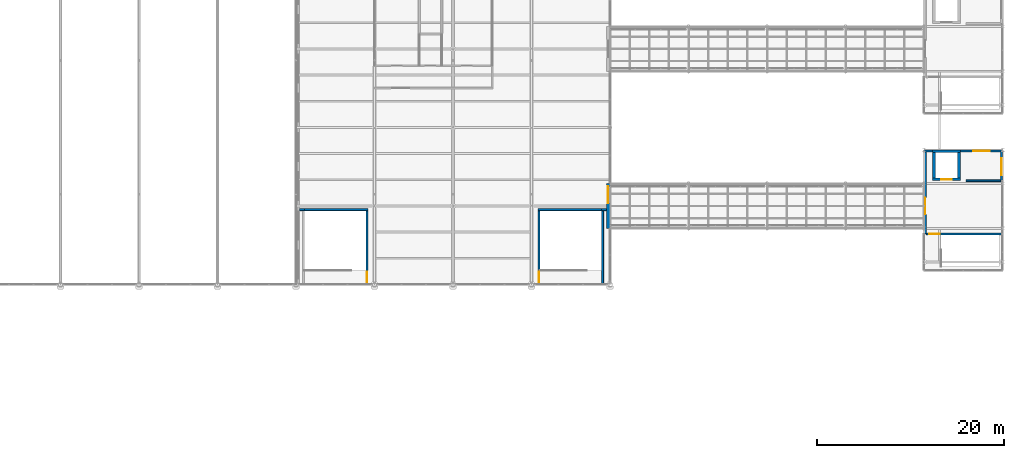
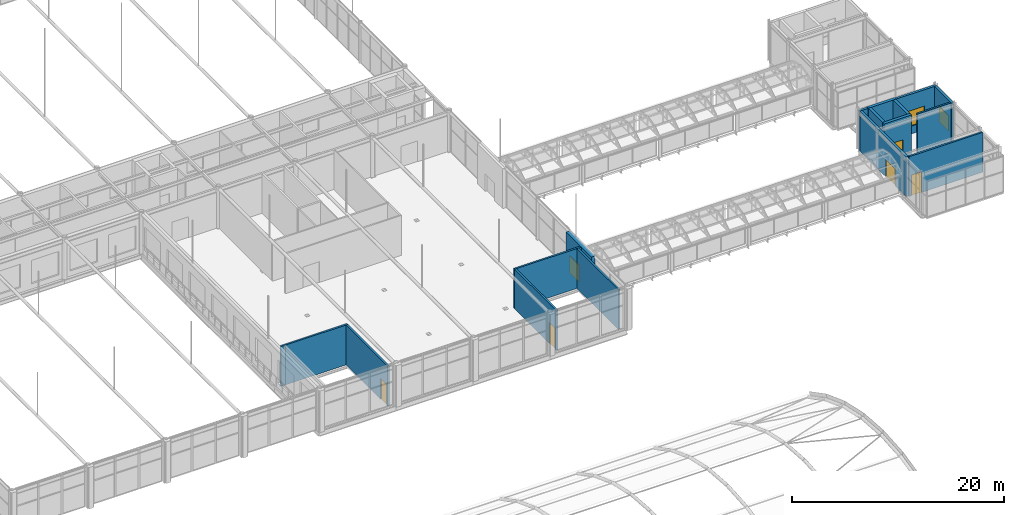
# One storey, part 150 of 167: 18 walls, 6 doors, 2 windows, 8 openings.
"""IFC4 building model written with IfcOpenShell, lengths in metres."""

from ifc_helpers import new_model, si_unit, direction, frame, frame_2d, origin, place, context, subcontext, project, spatial, rectangle, extrude, material, layer, layer_set, type_object, element, fill, save


model = new_model("IFC4")

# Units and contexts
model_context = context("Model", 3, precision=1e-05, world=origin(), true_north=direction((0.0, 1.0)))
body_context = subcontext(model_context, "Body", "Model", "MODEL_VIEW")
ifc_project = project(units=[si_unit("LENGTHUNIT", "METRE"), si_unit("AREAUNIT", "SQUARE_METRE"), si_unit("VOLUMEUNIT", "CUBIC_METRE"), si_unit("PLANEANGLEUNIT", "RADIAN"), si_unit("MASSUNIT", "GRAM", prefix="KILO")], contexts=[model_context])

# Site, building, storey
site_placement = place(None, origin())
site = spatial("IfcSite", under=ifc_project, at=site_placement, CompositionType="ELEMENT")
building_placement = place(site_placement, origin())
building = spatial("IfcBuilding", under=site, at=building_placement, Name="Catenary Quay Ferry Terminal", CompositionType="ELEMENT")
storey_placement = place(building_placement, frame((0.0, 0.0, 6.0)))
storey = spatial("IfcBuildingStorey", under=building, at=storey_placement, Name="L01", CompositionType="ELEMENT", Elevation=6.0)

# Wall, opening, door
ifc_material_1 = material(Name="Masonry and insulation", Category="masonry")
ifc_layer_1 = layer(ifc_material_1, 0.25)
ifc_layer_set_1 = layer_set([ifc_layer_1], Name="EW12")
wall_type_1 = type_object("IfcWallType", Name="EW12", PredefinedType="SOLIDWALL", material=ifc_layer_set_1)
wall_1_placement = place(storey_placement, frame((126.125, 72.60009765625, 0.0), z_axis=(0.0, 0.0, 1.0), x_axis=(0.0, 1.0, 0.0)))
wall_1 = element("IfcWall", 1, at=wall_1_placement, inside=storey, type_object=wall_type_1, Name="P26 wall WL181", PredefinedType="SOLIDWALL", context=body_context, shape_type="SweptSolid", body=[
    extrude(rectangle(XDim=8.804931640625, YDim=0.25, at=frame_2d((4.40234375, 0.0))), origin(), (0.0, 0.0, 1.0), 4.60009765625),
])
opening_1_placement = place(wall_1_placement, frame((2.10009765625, 0.0, 0.0)))
opening_1 = element("IfcOpeningElement", 2, at=opening_1_placement, cuts=wall_1, Name="Opening D120", PredefinedType="OPENING", context=body_context, shape_type="SweptSolid", body=[
    extrude(rectangle(XDim=1.800048828125, YDim=2.0, at=frame_2d((0.89990234375, 1.0))), frame((0.0, 0.135009765625, 0.0), z_axis=(0.0, -1.0, 0.0), x_axis=(1.0, 0.0, 0.0)), (0.0, 0.0, 1.0), 0.27001953125),
])
ifc_material_2 = material(Name="Aluminium and glass", Category="aluminium")
door_type_1 = type_object("IfcDoorType", Name="DI11", OperationType="DOUBLE_DOOR_SINGLE_SWING", PredefinedType="DOOR", material=ifc_material_2)
door_1_placement = place(opening_1_placement, frame((1.800048828125, 0.0, 0.0), z_axis=(0.0, 0.0, 1.0), x_axis=(-1.0, 0.0, 0.0)))
door_1 = element("IfcDoor", 3, at=door_1_placement, inside=storey, type_object=door_type_1, Name="Boarding Bridge 1 to Berth 1 Boarding Landing", OperationType="DOUBLE_DOOR_SINGLE_SWING", OverallHeight=2.0, OverallWidth=1.800048828125, PredefinedType="DOOR", context=body_context, shape_type="SweptSolid", body=[
    extrude(rectangle(XDim=1.800048828125, YDim=2.0, at=frame_2d((0.89990234375, 1.0))), frame((0.0, 0.02490234375, 0.0), z_axis=(0.0, -1.0, 0.0), x_axis=(1.0, 0.0, 0.0)), (0.0, 0.0, 1.0), 0.050048828125),
])
fill(opening_1, door_1)

ifc_material_3 = material(Name="Masonry and insulation", Category="masonry")
ifc_layer_2 = layer(ifc_material_3, 0.39990234375)
ifc_layer_set_2 = layer_set([ifc_layer_2], Name="EW13")
wall_type_2 = type_object("IfcWallType", Name="EW13", PredefinedType="SOLIDWALL", material=ifc_layer_set_2)
wall_2_placement = place(storey_placement, frame((92.199951171875, 73.199951171875, 0.0), z_axis=(0.0, 0.0, 1.0), x_axis=(0.0, 1.0, 0.0)))
wall_2 = element("IfcWall", 4, at=wall_2_placement, inside=storey, type_object=wall_type_2, Name="P31 wall WL186", PredefinedType="SOLIDWALL", context=body_context, shape_type="SweptSolid", body=[
    extrude(rectangle(XDim=4.800048828125, YDim=0.39990234375, at=frame_2d((2.39990234375, 0.0))), origin(), (0.0, 0.0, 1.0), 4.60009765625),
])
opening_2_placement = place(wall_2_placement, frame((2.699951171875, 0.0, 0.0)))
opening_2 = element("IfcOpeningElement", 5, at=opening_2_placement, cuts=wall_2, Name="Opening D122", PredefinedType="OPENING", context=body_context, shape_type="SweptSolid", body=[
    extrude(rectangle(XDim=1.800048828125, YDim=2.0, at=frame_2d((0.89990234375, 1.0))), frame((0.0, 0.2099609375, 0.0), z_axis=(0.0, -1.0, 0.0), x_axis=(1.0, 0.0, 0.0)), (0.0, 0.0, 1.0), 0.419921875),
])
door_2_placement = place(opening_2_placement, origin())
door_2 = element("IfcDoor", 6, at=door_2_placement, inside=storey, type_object=door_type_1, Name="Boarding Bridge 1 to Boarding Concourse", OperationType="DOUBLE_DOOR_SINGLE_SWING", OverallHeight=2.0, OverallWidth=1.800048828125, PredefinedType="DOOR", context=body_context, shape_type="SweptSolid", body=[
    extrude(rectangle(XDim=1.800048828125, YDim=2.0, at=frame_2d((0.89990234375, 1.0))), frame((0.0, 0.02490234375, 0.0), z_axis=(0.0, -1.0, 0.0), x_axis=(1.0, 0.0, 0.0)), (0.0, 0.0, 1.0), 0.050048828125),
])
fill(opening_2, door_2)

# Wall
ifc_material_4 = material(Name="Masonry and insulation", Category="masonry")
ifc_layer_3 = layer(ifc_material_4, 0.25)
ifc_layer_set_3 = layer_set([ifc_layer_3], Name="EW4")
wall_type_3 = type_object("IfcWallType", Name="EW4", PredefinedType="SOLIDWALL", material=ifc_layer_set_3)
wall_3_placement = place(storey_placement, frame((126.0, 81.47509765625, 0.0), z_axis=(0.0, 0.0, 1.0), x_axis=(1.0, 0.0, 0.0)))
element("IfcWall", 7, at=wall_3_placement, inside=storey, type_object=wall_type_3, Name="P18 wall WL173", PredefinedType="SOLIDWALL", context=body_context, shape_type="SweptSolid", body=[
    extrude(rectangle(XDim=0.89990234375, YDim=0.25, at=frame_2d((0.449951171875, 0.0))), origin(), (0.0, 0.0, 1.0), 4.60009765625),
])

# Wall, opening, window
wall_4_placement = place(storey_placement, frame((129.89990234375, 81.47509765625, 0.0), z_axis=(0.0, 0.0, 1.0), x_axis=(1.0, 0.0, 0.0)))
wall_4 = element("IfcWall", 8, at=wall_4_placement, inside=storey, type_object=wall_type_3, Name="P19 wall WL174", PredefinedType="SOLIDWALL", context=body_context, shape_type="SweptSolid", body=[
    extrude(rectangle(XDim=4.5, YDim=0.25, at=frame_2d((2.25, 0.0))), origin(), (0.0, 0.0, 1.0), 4.60009765625),
])
opening_3_placement = place(wall_4_placement, frame((1.35009765625, 0.0, 0.89990234375)))
opening_3 = element("IfcOpeningElement", 9, at=opening_3_placement, cuts=wall_4, Name="Opening W9", PredefinedType="OPENING", context=body_context, shape_type="SweptSolid", body=[
    extrude(rectangle(XDim=1.800048828125, YDim=1.800048828125, at=frame_2d((0.89990234375, 0.89990234375))), frame((0.0, 0.135009765625, 0.0), z_axis=(0.0, -1.0, 0.0), x_axis=(1.0, 0.0, 0.0)), (0.0, 0.0, 1.0), 0.27001953125),
])
ifc_material_5 = material(Name="Aluminium and glass", Category="aluminium")
window_type = type_object("IfcWindowType", Name="WH1", PartitioningType="SINGLE_PANEL", PredefinedType="WINDOW", material=ifc_material_5)
window_1_placement = place(opening_3_placement, origin())
window_1 = element("IfcWindow", 10, at=window_1_placement, inside=storey, type_object=window_type, Name="P19 window W9", OverallHeight=1.800048828125, OverallWidth=1.800048828125, PartitioningType="SINGLE_PANEL", PredefinedType="WINDOW", context=body_context, shape_type="SweptSolid", body=[
    extrude(rectangle(XDim=1.800048828125, YDim=1.800048828125, at=frame_2d((0.89990234375, 0.89990234375))), frame((0.0, 0.030029296875, 0.0), z_axis=(0.0, -1.0, 0.0), x_axis=(1.0, 0.0, 0.0)), (0.0, 0.0, 1.0), 0.06005859375),
])
fill(opening_3, window_1)

wall_5_placement = place(storey_placement, frame((134.27490234375, 78.14990234375, 0.0), z_axis=(0.0, 0.0, 1.0), x_axis=(0.0, 1.0, 0.0)))
wall_5 = element("IfcWall", 11, at=wall_5_placement, inside=storey, type_object=wall_type_3, Name="P25 wall WL180", PredefinedType="SOLIDWALL", context=body_context, shape_type="SweptSolid", body=[
    extrude(rectangle(XDim=3.255126953125, YDim=0.25, at=frame_2d((1.62744140625, 0.0))), origin(), (0.0, 0.0, 1.0), 4.60009765625),
])
opening_4_placement = place(wall_5_placement, frame((0.7275390625, 0.0, 0.89990234375)))
opening_4 = element("IfcOpeningElement", 12, at=opening_4_placement, cuts=wall_5, Name="Opening W30", PredefinedType="OPENING", context=body_context, shape_type="SweptSolid", body=[
    extrude(rectangle(XDim=1.800048828125, YDim=1.800048828125, at=frame_2d((0.89990234375, 0.89990234375))), frame((0.0, 0.135009765625, 0.0), z_axis=(0.0, -1.0, 0.0), x_axis=(1.0, 0.0, 0.0)), (0.0, 0.0, 1.0), 0.27001953125),
])
window_2_placement = place(opening_4_placement, origin())
window_2 = element("IfcWindow", 13, at=window_2_placement, inside=storey, type_object=window_type, Name="P25 window W30", OverallHeight=1.800048828125, OverallWidth=1.800048828125, PartitioningType="SINGLE_PANEL", PredefinedType="WINDOW", context=body_context, shape_type="SweptSolid", body=[
    extrude(rectangle(XDim=1.800048828125, YDim=1.800048828125, at=frame_2d((0.89990234375, 0.89990234375))), frame((0.0, 0.030029296875, 0.0), z_axis=(0.0, -1.0, 0.0), x_axis=(1.0, 0.0, 0.0)), (0.0, 0.0, 1.0), 0.06005859375),
])
fill(opening_4, window_2)

# Wall, opening, door
ifc_material_6 = material(Name="Blockwork and plaster", Category="masonry")
ifc_layer_4 = layer(ifc_material_6, 0.199951171875)
ifc_layer_set_4 = layer_set([ifc_layer_4], Name="IP4")
wall_type_4 = type_object("IfcWallType", Name="IP4", PredefinedType="PARTITIONING", material=ifc_layer_set_4)
wall_6_placement = place(storey_placement, frame((126.25, 72.60009765625, 0.0), z_axis=(0.0, 0.0, 1.0), x_axis=(1.0, 0.0, 0.0)))
wall_6 = element("IfcWall", 14, at=wall_6_placement, inside=storey, type_object=wall_type_4, Name="Partition L01 1", PredefinedType="PARTITIONING", context=body_context, shape_type="SweptSolid", body=[
    extrude(rectangle(XDim=8.074951171875, YDim=0.199951171875, at=frame_2d((4.03759765625, 0.0))), origin(), (0.0, 0.0, 1.0), 4.60009765625),
])
opening_5_placement = place(wall_6_placement, frame((0.300048828125, 0.0, 0.0)))
opening_5 = element("IfcOpeningElement", 15, at=opening_5_placement, cuts=wall_6, Name="Opening D121", PredefinedType="OPENING", context=body_context, shape_type="SweptSolid", body=[
    extrude(rectangle(XDim=1.10009765625, YDim=2.39990234375, at=frame_2d((0.550048828125, 1.199951171875))), frame((0.0, 0.10986328125, 0.0), z_axis=(0.0, -1.0, 0.0), x_axis=(1.0, 0.0, 0.0)), (0.0, 0.0, 1.0), 0.219970703125),
])
ifc_material_7 = material(Name="Steel", Category="steel")
door_type_2 = type_object("IfcDoorType", Name="DI4", OperationType="SINGLE_SWING_LEFT", PredefinedType="DOOR", material=ifc_material_7)
door_3_placement = place(opening_5_placement, frame((1.10009765625, 0.0, 0.0), z_axis=(0.0, 0.0, 1.0), x_axis=(-1.0, 0.0, 0.0)))
door_3 = element("IfcDoor", 16, at=door_3_placement, inside=storey, type_object=door_type_2, Name="Stair HB1 to Berth 1 Boarding Landing", OperationType="SINGLE_SWING_RIGHT", OverallHeight=2.39990234375, OverallWidth=1.10009765625, PredefinedType="DOOR", context=body_context, shape_type="SweptSolid", body=[
    extrude(rectangle(XDim=1.10009765625, YDim=2.39990234375, at=frame_2d((0.550048828125, 1.199951171875))), frame((0.0, 0.02490234375, 0.0), z_axis=(0.0, -1.0, 0.0), x_axis=(1.0, 0.0, 0.0)), (0.0, 0.0, 1.0), 0.050048828125),
])
fill(opening_5, door_3)

# Walls
for number, where, z_axis, x_axis, name in (
    (17, (59.5, 75.199951171875, 0.0), (0.0, 0.0, 1.0), (1.0, 0.0, 0.0), "Partition L01 3"),
    (18, (84.699951171875, 75.199951171875, 0.0), (0.0, 0.0, 1.0), (1.0, 0.0, 0.0), "Partition L01 4"),
):
    element("IfcWall", number, at=place(storey_placement, frame(where, z_axis=z_axis, x_axis=x_axis)), inside=storey, type_object=wall_type_4, Name=name, PredefinedType="PARTITIONING", context=body_context, shape_type="SweptSolid", body=[
        extrude(rectangle(XDim=7.0, YDim=0.199951171875, at=frame_2d((3.5, 0.0))), origin(), (0.0, 0.0, 1.0), 4.60009765625),
    ])

# Wall, opening, door
wall_7_placement = place(storey_placement, frame((66.39990234375, 67.27490234375, 0.0), z_axis=(0.0, 0.0, 1.0), x_axis=(0.0, 1.0, 0.0)))
wall_7 = element("IfcWall", 19, at=wall_7_placement, inside=storey, type_object=wall_type_4, Name="Partition L01 83", PredefinedType="PARTITIONING", context=body_context, shape_type="SweptSolid", body=[
    extrude(rectangle(XDim=7.8251953125, YDim=0.199951171875, at=frame_2d((3.91259765625, 0.0))), origin(), (0.0, 0.0, 1.0), 4.60009765625),
])
opening_6_placement = place(wall_7_placement, frame((0.175048828125, 0.0, 0.0)))
opening_6 = element("IfcOpeningElement", 20, at=opening_6_placement, cuts=wall_7, Name="Opening D119", PredefinedType="OPENING", context=body_context, shape_type="SweptSolid", body=[
    extrude(rectangle(XDim=1.10009765625, YDim=2.39990234375, at=frame_2d((0.550048828125, 1.199951171875))), frame((0.0, 0.10986328125, 0.0), z_axis=(0.0, -1.0, 0.0), x_axis=(1.0, 0.0, 0.0)), (0.0, 0.0, 1.0), 0.219970703125),
])
door_4_placement = place(opening_6_placement, origin())
door_4 = element("IfcDoor", 21, at=door_4_placement, inside=storey, type_object=door_type_2, Name="Stair TS6 to Waiting Lounge East", OperationType="SINGLE_SWING_LEFT", OverallHeight=2.39990234375, OverallWidth=1.10009765625, PredefinedType="DOOR", context=body_context, shape_type="SweptSolid", body=[
    extrude(rectangle(XDim=1.10009765625, YDim=2.39990234375, at=frame_2d((0.550048828125, 1.199951171875))), frame((0.0, 0.02490234375, 0.0), z_axis=(0.0, -1.0, 0.0), x_axis=(1.0, 0.0, 0.0)), (0.0, 0.0, 1.0), 0.050048828125),
])
fill(opening_6, door_4)

wall_8_placement = place(storey_placement, frame((84.800048828125, 67.27490234375, 0.0), z_axis=(0.0, 0.0, 1.0), x_axis=(0.0, 1.0, 0.0)))
wall_8 = element("IfcWall", 22, at=wall_8_placement, inside=storey, type_object=wall_type_4, Name="Partition L01 93", PredefinedType="PARTITIONING", context=body_context, shape_type="SweptSolid", body=[
    extrude(rectangle(XDim=7.8251953125, YDim=0.199951171875, at=frame_2d((3.91259765625, 0.0))), origin(), (0.0, 0.0, 1.0), 4.60009765625),
])
opening_7_placement = place(wall_8_placement, frame((0.175048828125, 0.0, 0.0)))
opening_7 = element("IfcOpeningElement", 23, at=opening_7_placement, cuts=wall_8, Name="Opening D118", PredefinedType="OPENING", context=body_context, shape_type="SweptSolid", body=[
    extrude(rectangle(XDim=1.10009765625, YDim=2.39990234375, at=frame_2d((0.550048828125, 1.199951171875))), frame((0.0, 0.10986328125, 0.0), z_axis=(0.0, -1.0, 0.0), x_axis=(1.0, 0.0, 0.0)), (0.0, 0.0, 1.0), 0.219970703125),
])
door_5_placement = place(opening_7_placement, frame((1.10009765625, 0.0, 0.0), z_axis=(0.0, 0.0, 1.0), x_axis=(-1.0, 0.0, 0.0)))
door_5 = element("IfcDoor", 24, at=door_5_placement, inside=storey, type_object=door_type_2, Name="Stair TS5 to Boarding Concourse", OperationType="SINGLE_SWING_RIGHT", OverallHeight=2.39990234375, OverallWidth=1.10009765625, PredefinedType="DOOR", context=body_context, shape_type="SweptSolid", body=[
    extrude(rectangle(XDim=1.10009765625, YDim=2.39990234375, at=frame_2d((0.550048828125, 1.199951171875))), frame((0.0, 0.02490234375, 0.0), z_axis=(0.0, -1.0, 0.0), x_axis=(1.0, 0.0, 0.0)), (0.0, 0.0, 1.0), 0.050048828125),
])
fill(opening_7, door_5)

# Walls
wall_9_placement = place(storey_placement, frame((91.60009765625, 67.27490234375, 0.0), z_axis=(0.0, 0.0, 1.0), x_axis=(0.0, 1.0, 0.0)))
element("IfcWall", 25, at=wall_9_placement, inside=storey, type_object=wall_type_4, Name="Partition L01 96", PredefinedType="PARTITIONING", context=body_context, shape_type="SweptSolid", body=[
    extrude(rectangle(XDim=7.8251953125, YDim=0.199951171875, at=frame_2d((3.91259765625, 0.0))), origin(), (0.0, 0.0, 1.0), 4.60009765625),
])
ifc_material_8 = material(Name="Blockwork and plaster", Category="masonry")
ifc_layer_5 = layer(ifc_material_8, 0.199951171875)
ifc_layer_set_5 = layer_set([ifc_layer_5], Name="IP6")
wall_type_5 = type_object("IfcWallType", Name="IP6", PredefinedType="PARTITIONING", material=ifc_layer_set_5)
for number, where, z_axis, x_axis, name in (
    (26, (59.199951171875, 75.199951171875, 0.0), (0.0, 0.0, 1.0), (1.0, 0.0, 0.0), "Partition L01 2"),
    (27, (91.5, 75.199951171875, 0.0), (0.0, 0.0, 1.0), (1.0, 0.0, 0.0), "Partition L01 5"),
):
    element("IfcWall", number, at=place(storey_placement, frame(where, z_axis=z_axis, x_axis=x_axis)), inside=storey, type_object=wall_type_5, Name=name, PredefinedType="PARTITIONING", context=body_context, shape_type="SweptSolid", body=[
        extrude(rectangle(XDim=0.5, YDim=0.199951171875, at=frame_2d((0.25, 0.0))), origin(), (0.0, 0.0, 1.0), 4.60009765625),
    ])
wall_10_placement = place(storey_placement, frame((130.5, 78.300048828125, 0.0), z_axis=(0.0, 0.0, 1.0), x_axis=(1.0, 0.0, 0.0)))
element("IfcWall", 28, at=wall_10_placement, inside=storey, type_object=wall_type_5, Name="Partition L01 6", PredefinedType="PARTITIONING", context=body_context, shape_type="SweptSolid", body=[
    extrude(rectangle(XDim=3.64990234375, YDim=0.199951171875, at=frame_2d((1.824951171875, 0.0))), origin(), (0.0, 0.0, 1.0), 4.60009765625),
])

# Wall, opening, door
ifc_material_9 = material(Name="Concrete C50/60", Category="concrete")
ifc_layer_6 = layer(ifc_material_9, 0.300048828125)
ifc_layer_set_6 = layer_set([ifc_layer_6], Name="Shaft wall 300")
wall_type_6 = type_object("IfcWallType", Name="Shaft wall 300", PredefinedType="SHEAR", material=ifc_layer_set_6)
wall_11_placement = place(storey_placement, frame((126.89990234375, 78.449951171875, 0.0), z_axis=(0.0, 0.0, 1.0), x_axis=(1.0, 0.0, 0.0)))
wall_11 = element("IfcWall", 29, at=wall_11_placement, inside=storey, type_object=wall_type_6, Name="Shaft wall BL1 S", PredefinedType="SHEAR", context=body_context, shape_type="SweptSolid", body=[
    extrude(rectangle(XDim=3.0, YDim=0.300048828125, at=frame_2d((1.5, 0.0))), origin(), (0.0, 0.0, 1.0), 4.64990234375),
])
opening_8_placement = place(wall_11_placement, frame((0.949951171875, 0.0, 0.0)))
opening_8 = element("IfcOpeningElement", 30, at=opening_8_placement, cuts=wall_11, Name="Opening LD2", PredefinedType="OPENING", context=body_context, shape_type="SweptSolid", body=[
    extrude(rectangle(XDim=1.10009765625, YDim=2.10009765625, at=frame_2d((0.550048828125, 1.050048828125))), frame((0.0, 0.159912109375, 0.0), z_axis=(0.0, -1.0, 0.0), x_axis=(1.0, 0.0, 0.0)), (0.0, 0.0, 1.0), 0.320068359375),
])
ifc_material_10 = material(Name="Stainless steel", Category="steel")
door_type_3 = type_object("IfcDoorType", Name="DL1", OperationType="SLIDING_TO_LEFT", PredefinedType="DOOR", material=ifc_material_10)
door_6_placement = place(opening_8_placement, origin())
door_6 = element("IfcDoor", 31, at=door_6_placement, inside=storey, type_object=door_type_3, Name="Lift BL1 landing door L01", OperationType="SLIDING_TO_LEFT", OverallHeight=2.10009765625, OverallWidth=1.10009765625, PredefinedType="DOOR", context=body_context, shape_type="SweptSolid", body=[
    extrude(rectangle(XDim=1.10009765625, YDim=2.10009765625, at=frame_2d((0.550048828125, 1.050048828125))), frame((0.0, 0.02490234375, 0.0), z_axis=(0.0, -1.0, 0.0), x_axis=(1.0, 0.0, 0.0)), (0.0, 0.0, 1.0), 0.050048828125),
])
fill(opening_8, door_6)

# Walls
for number, where, z_axis, x_axis, name in (
    (32, (129.75, 78.60009765625, 0.0), (0.0, 0.0, 1.0), (0.0, 1.0, 0.0), "Shaft wall BL1 E"),
    (33, (127.050048828125, 78.60009765625, 0.0), (0.0, 0.0, 1.0), (0.0, 1.0, 0.0), "Shaft wall BL1 W"),
):
    element("IfcWall", number, at=place(storey_placement, frame(where, z_axis=z_axis, x_axis=x_axis)), inside=storey, type_object=wall_type_6, Name=name, PredefinedType="SHEAR", context=body_context, shape_type="SweptSolid", body=[
        extrude(rectangle(XDim=2.699951171875, YDim=0.300048828125, at=frame_2d((1.35009765625, 0.0))), origin(), (0.0, 0.0, 1.0), 4.64990234375),
    ])
wall_12_placement = place(storey_placement, frame((126.89990234375, 81.449951171875, 0.0), z_axis=(0.0, 0.0, 1.0), x_axis=(1.0, 0.0, 0.0)))
element("IfcWall", 34, at=wall_12_placement, inside=storey, type_object=wall_type_6, Name="Shaft wall BL1 N", PredefinedType="SHEAR", context=body_context, shape_type="SweptSolid", body=[
    extrude(rectangle(XDim=3.0, YDim=0.300048828125, at=frame_2d((1.5, 0.0))), origin(), (0.0, 0.0, 1.0), 4.64990234375),
])

save(model, "model.ifc")
